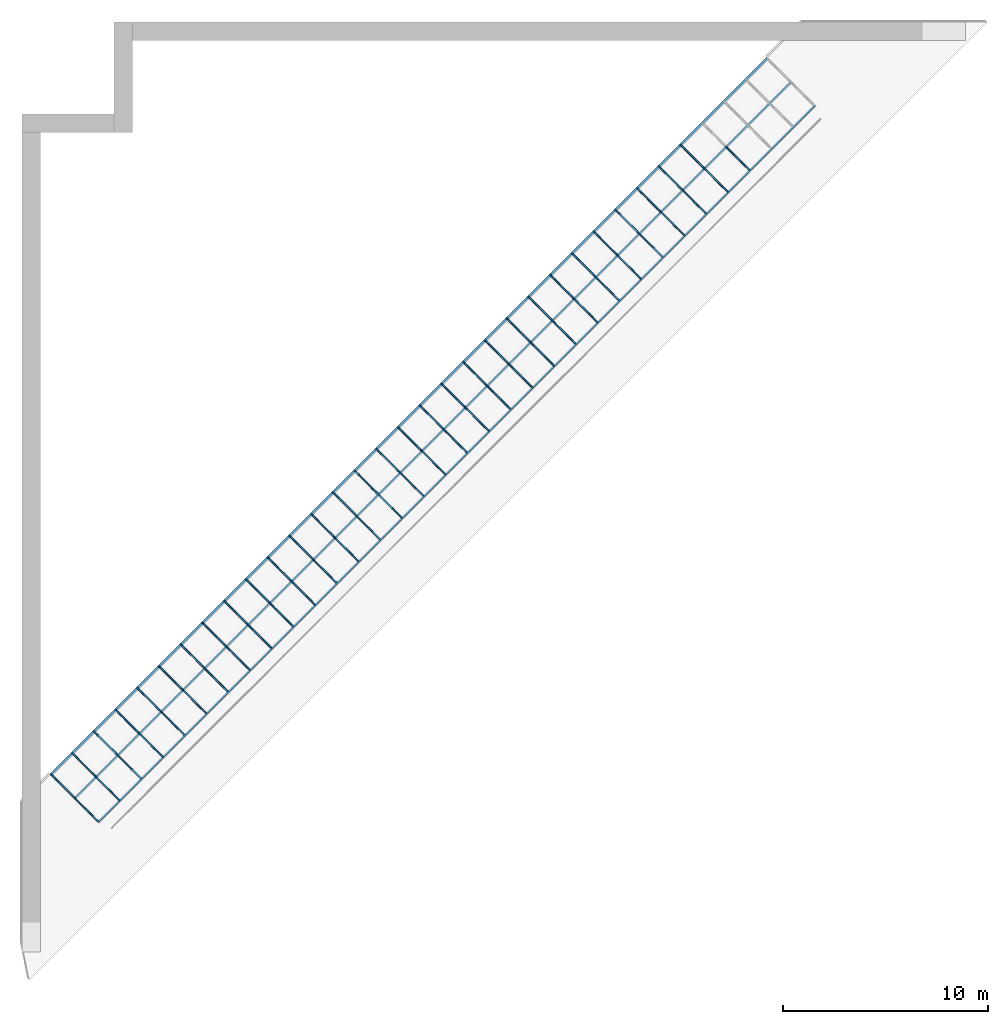
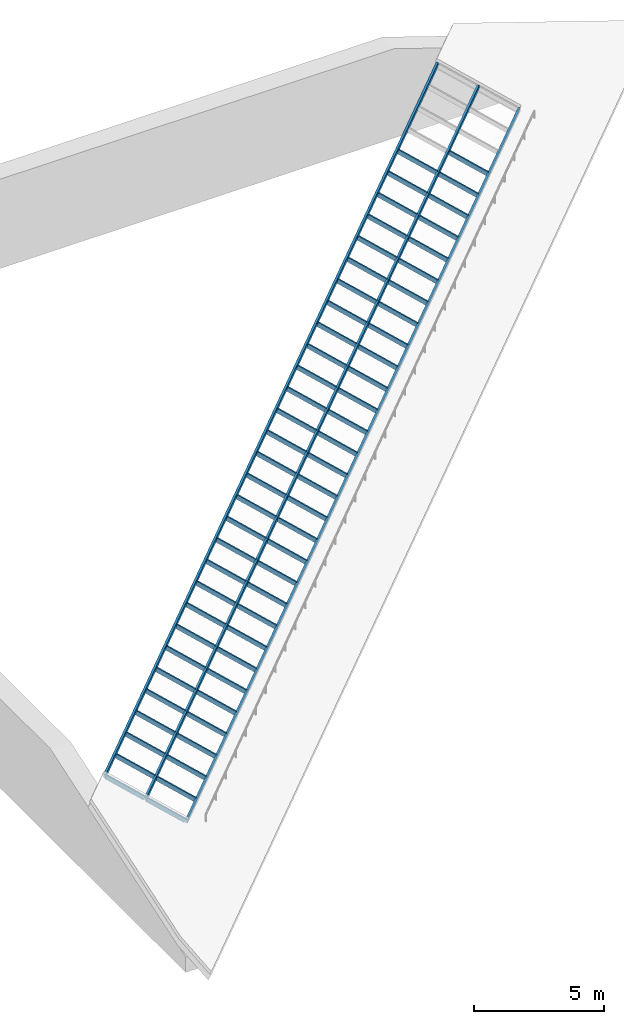
# One storey, part 1 of 4: 64 members, 1 element without a shape of its own.
"""IFC4 building model written with IfcOpenShell, lengths in metres."""

import ifcopenshell
import ifcopenshell.guid

model = None  # the IFC model being written
_history = None  # IfcOwnerHistory: only IFC2X3 demands one
_inside = {}  # id of a spatial element -> (the spatial element, [elements in it])
_under = {}  # id of a project, library or spatial element -> (it, [spatial elements below it])
_declared = {}  # id of a project -> (the project, [libraries it declares])
_typed = {}  # id of a type object -> (the type object, [elements of that type])
_made_of = {}  # id of a material, layer set ... -> (it, [elements and type objects made of it])


def new_model(schema):
    """Start an empty IFC model of exactly this schema.

    Asked for "IFC4X3", IfcOpenShell would pick the latest addendum, in which some entities
    have other attributes; the version numbers below select the first issue.
    IFC2X3 requires an IfcOwnerHistory on every rooted entity: one is made here for all.
    """
    global model, _history
    if schema == "IFC4X3":
        model = ifcopenshell.file(schema_version=(4, 3, 0, 0))
    else:
        model = ifcopenshell.file(schema=schema)
    _inside.clear()
    _under.clear()
    _declared.clear()
    _typed.clear()
    _made_of.clear()
    _history = None
    if model.schema == "IFC2X3":
        org = make("IfcOrganization", Name="unknown")
        user = make(
            "IfcPersonAndOrganization",
            ThePerson=make("IfcPerson", FamilyName="unknown"),
            TheOrganization=org,
        )
        app = make(
            "IfcApplication",
            ApplicationDeveloper=org,
            Version="unknown",
            ApplicationFullName="unknown",
            ApplicationIdentifier="unknown",
        )
        _history = make(
            "IfcOwnerHistory",
            OwningUser=user,
            OwningApplication=app,
            ChangeAction="ADDED",
            CreationDate=0,
        )
    return model


def make(cls, **values):
    """One entity of the class cls with the attributes given. An attribute that is None is left unset."""
    return model.create_entity(
        cls, **{name: value for name, value in values.items() if value is not None}
    )


def rooted(cls, **values):
    """An entity with a GlobalId (a new one), such as an element, a storey or a relation."""
    return make(cls, GlobalId=ifcopenshell.guid.new(), OwnerHistory=_history, **values)


def si_unit(unit_type, name, prefix=None):
    """IfcSIUnit, for example si_unit("LENGTHUNIT", "METRE", prefix="MILLI")."""
    return make("IfcSIUnit", UnitType=unit_type, Prefix=prefix, Name=name)


def assignment(units):
    """IfcUnitAssignment: the units of a project."""
    return None if units is None else make("IfcUnitAssignment", Units=units)


def point(xyz):
    """IfcCartesianPoint."""
    return None if xyz is None else make("IfcCartesianPoint", Coordinates=xyz)


def direction(xyz):
    """IfcDirection."""
    return None if xyz is None else make("IfcDirection", DirectionRatios=xyz)


def frame(location, z_axis=None, x_axis=None):
    """IfcAxis2Placement3D, a coordinate frame: its origin and axes. An axis left out is left unset."""
    return make(
        "IfcAxis2Placement3D",
        Location=point(location),
        Axis=direction(z_axis),
        RefDirection=direction(x_axis),
    )


def frame_2d(location, x_axis=None):
    """IfcAxis2Placement2D, a coordinate frame in the plane: its origin and x axis."""
    return make(
        "IfcAxis2Placement2D", Location=point(location), RefDirection=direction(x_axis)
    )


def origin():
    """The frame at (0, 0, 0) with its axes left unset."""
    return frame((0.0, 0.0, 0.0))


def origin_2d():
    """The frame at (0, 0) in the plane with its x axis left unset."""
    return frame_2d((0.0, 0.0))


def place(relative_to, where):
    """IfcLocalPlacement: puts the frame where relative to a parent placement (None: the world)."""
    return make(
        "IfcLocalPlacement", PlacementRelTo=relative_to, RelativePlacement=where
    )


def context(
    kind, dimensions, precision=None, world=None, true_north=None, identifier=None
):
    """IfcGeometricRepresentationContext, for example the 3D "Model" context."""
    return make(
        "IfcGeometricRepresentationContext",
        ContextIdentifier=identifier,
        ContextType=kind,
        CoordinateSpaceDimension=dimensions,
        Precision=precision,
        WorldCoordinateSystem=world,
        TrueNorth=true_north,
    )


def subcontext(parent, identifier, kind, view, scale=None):
    """IfcGeometricRepresentationSubContext, for example "Body" below "Model"."""
    return make(
        "IfcGeometricRepresentationSubContext",
        ContextIdentifier=identifier,
        ContextType=kind,
        ParentContext=parent,
        TargetScale=scale,
        TargetView=view,
    )


def project(units=None, contexts=None):
    """IfcProject with its units and contexts."""
    return rooted(
        "IfcProject",
        Name="project",
        RepresentationContexts=contexts,
        UnitsInContext=assignment(units),
    )


def spatial(cls, under=None, at=None, **own):
    """A site, building, storey or space (cls), placed at a placement, below another one or the project."""
    s = rooted(cls, ObjectPlacement=at, **own)
    if under is not None:
        _under.setdefault(under.id(), (under, []))[1].append(s)
    return s


def profile(cls, at=None, kind="AREA", **sizes):
    """A parametric profile (cls). Its sizes go by their IFC names, for example OverallWidth=200.0."""
    return make(cls, ProfileType=kind, Position=at, **sizes)


def rectangle(**sizes):
    """IfcRectangleProfileDef."""
    return profile("IfcRectangleProfileDef", **sizes)


def extrude(swept, where, along, depth):
    """IfcExtrudedAreaSolid: the profile swept, set in the frame where, extruded along a direction by depth."""
    return make(
        "IfcExtrudedAreaSolid",
        SweptArea=swept,
        Position=where,
        ExtrudedDirection=direction(along),
        Depth=depth,
    )


def shape(context_of_items, identifier, shape_type, items):
    """IfcShapeRepresentation: the items that make up one representation, for example the "Body"."""
    return make(
        "IfcShapeRepresentation",
        ContextOfItems=context_of_items,
        RepresentationIdentifier=identifier,
        RepresentationType=shape_type,
        Items=items,
    )


def material(Name=None, Category=None):
    """IfcMaterial."""
    return make("IfcMaterial", Name=Name, Category=Category)


def material_profile(
    of_material, cross_section, Name=None, Category=None, Priority=None
):
    """IfcMaterialProfile: a cross section and its material."""
    return make(
        "IfcMaterialProfile",
        Name=Name,
        Material=of_material,
        Profile=cross_section,
        Priority=Priority,
        Category=Category,
    )


def profile_set(profiles, Name=None, composite=None):
    """IfcMaterialProfileSet."""
    return make(
        "IfcMaterialProfileSet",
        Name=Name,
        MaterialProfiles=profiles,
        CompositeProfile=composite,
    )


def made_of(thing, what):
    """Note that an element or type object is made of a material, layer set ...; save() writes the relation."""
    if what is not None:
        _made_of.setdefault(what.id(), (what, []))[1].append(thing)
    return thing


def type_object(cls, material=None, **own):
    """A type object (cls), such as IfcWallType, which elements share."""
    return made_of(rooted(cls, **own), material)


def element(
    cls,
    number,
    at=None,
    inside=None,
    cuts=None,
    type_object=None,
    material=None,
    context=None,
    identifier="Body",
    shape_type=None,
    held_by="IfcProductDefinitionShape",
    body=None,
    shapes=None,
    **own,
):
    """One element of the class cls, such as IfcWall. Its Tag is "e" and its number.

    at: its placement. inside: the storey or other place that contains it. cuts: it is an
    opening in that element (IfcRelVoidsElement). A single representation is given by context,
    identifier, shape_type and body (its items); several are given by shapes. held_by: the class
    of the entity that holds the representations. save() writes the other relations.
    """
    e = rooted(cls, Tag="e%d" % number, ObjectPlacement=at, **own)
    if body is not None:
        shapes = [shape(context, identifier, shape_type, body)]
    if shapes is not None:
        e.Representation = make(held_by, Representations=shapes)
    if inside is not None:
        _inside.setdefault(inside.id(), (inside, []))[1].append(e)
    if cuts is not None:
        rooted(
            "IfcRelVoidsElement", RelatingBuildingElement=cuts, RelatedOpeningElement=e
        )
    if type_object is not None:
        _typed.setdefault(type_object.id(), (type_object, []))[1].append(e)
    return made_of(e, material)


def aggregate(whole, parts):
    """IfcRelAggregates: a whole, such as a stair, and the parts it consists of."""
    return rooted("IfcRelAggregates", RelatingObject=whole, RelatedObjects=parts)


def save(model, path):
    """Write the relations noted so far, then the file.

    IfcRelAggregates (storeys below a building ...), IfcRelContainedInSpatialStructure (elements
    in a storey), IfcRelDefinesByType, IfcRelAssociatesMaterial and IfcRelDeclares: one each for
    every whole, place, type object, material and project.
    """
    for whole, parts in _under.values():
        aggregate(whole, parts)
    for where, things in _inside.values():
        rooted(
            "IfcRelContainedInSpatialStructure",
            RelatedElements=things,
            RelatingStructure=where,
        )
    for kind, things in _typed.values():
        rooted("IfcRelDefinesByType", RelatedObjects=things, RelatingType=kind)
    for what, things in _made_of.values():
        rooted("IfcRelAssociatesMaterial", RelatedObjects=things, RelatingMaterial=what)
    for by, libraries in _declared.values():
        rooted("IfcRelDeclares", RelatingContext=by, RelatedDefinitions=libraries)
    model.write(path)


model = new_model("IFC4")

# Units and contexts
model_context = context("Model", 3, precision=1e-05, world=origin(), true_north=direction((0.0, 1.0)))
body_context = subcontext(model_context, "Body", "Model", "MODEL_VIEW")
ifc_project = project(units=[si_unit("LENGTHUNIT", "METRE"), si_unit("AREAUNIT", "SQUARE_METRE"), si_unit("VOLUMEUNIT", "CUBIC_METRE"), si_unit("PLANEANGLEUNIT", "RADIAN"), si_unit("MASSUNIT", "GRAM", prefix="KILO")], contexts=[model_context])

# Site, building, storey
site_placement = place(None, origin())
site = spatial("IfcSite", under=ifc_project, at=site_placement, CompositionType="ELEMENT")
building_placement = place(site_placement, origin())
building = spatial("IfcBuilding", under=site, at=building_placement, Name="Hunhe Ridgeline Campus", CompositionType="ELEMENT")
storey_placement = place(building_placement, frame((0.0, 0.0, 319.800048828125)))
storey = spatial("IfcBuildingStorey", under=building, at=storey_placement, Name="L82 Crown", CompositionType="ELEMENT", Elevation=319.800048828125)

# Curtain wall, members
ifc_material = material(Name="Aluminium 6063", Category="aluminium")
curtain_wall_type = type_object("IfcCurtainWallType", Name="Curtain wall CW-6", PredefinedType="NOTDEFINED", material=ifc_material)
curtain_wall_placement = place(storey_placement, origin())
curtain_wall = element("IfcCurtainWall", 1, at=curtain_wall_placement, inside=storey, type_object=curtain_wall_type, Name="Rooflight 5", PredefinedType="NOTDEFINED")
ifc_material_profile_1 = material_profile(ifc_material, rectangle(XDim=0.070068359375, YDim=0.199951171875, at=origin_2d()))
ifc_profile_set_1 = profile_set([ifc_material_profile_1], Name="Aluminium 6063")
member_type_1 = type_object("IfcMemberType", Name="CW-6 aluminium mullion", PredefinedType="MULLION", material=ifc_profile_set_1)
member_1_placement = place(storey_placement, frame((35.47802734375, 91.801025390625, 1.97119140625), z_axis=(-0.639503873019, 0.639648002808, 0.426480045135), x_axis=(-0.707186450701, -0.707027102695, 0.0)))
member_1 = element("IfcMember", 2, at=member_1_placement, type_object=member_type_1, Name="E-L82 Crown-RL-05/M0-03", PredefinedType="MULLION", context=body_context, shape_type="SweptSolid", body=[
    extrude(rectangle(XDim=0.070068359375, YDim=0.199951171875, at=origin_2d()), origin(), (0.0, 0.0, 1.0), 1.69384765625),
])
member_2_placement = place(storey_placement, frame((34.41748046875, 90.740478515625, 1.97119140625), z_axis=(-0.639562831882, 0.639562831882, 0.426519364332), x_axis=(-0.707106781187, -0.707106781187, 0.0)))
member_2 = element("IfcMember", 3, at=member_2_placement, type_object=member_type_1, Name="E-L82 Crown-RL-05/M0-04", PredefinedType="MULLION", context=body_context, shape_type="SweptSolid", body=[
    extrude(rectangle(XDim=0.070068359375, YDim=0.199951171875, at=origin_2d()), origin(), (0.0, 0.0, 1.0), 1.69384765625),
])
member_3_placement = place(storey_placement, frame((33.356689453125, 89.679931640625, 1.97119140625), z_axis=(-0.639562831882, 0.639562831882, 0.426519364332), x_axis=(-0.707106781187, -0.707106781187, 0.0)))
member_3 = element("IfcMember", 4, at=member_3_placement, type_object=member_type_1, Name="E-L82 Crown-RL-05/M0-05", PredefinedType="MULLION", context=body_context, shape_type="SweptSolid", body=[
    extrude(rectangle(XDim=0.070068359375, YDim=0.199951171875, at=origin_2d()), origin(), (0.0, 0.0, 1.0), 1.69384765625),
])
member_4_placement = place(storey_placement, frame((32.296142578125, 88.619140625, 1.97119140625), z_axis=(-0.639562831882, 0.639562831882, 0.426519364332), x_axis=(-0.707106781187, -0.707106781187, 0.0)))
member_4 = element("IfcMember", 5, at=member_4_placement, type_object=member_type_1, Name="E-L82 Crown-RL-05/M0-06", PredefinedType="MULLION", context=body_context, shape_type="SweptSolid", body=[
    extrude(rectangle(XDim=0.070068359375, YDim=0.199951171875, at=origin_2d()), origin(), (0.0, 0.0, 1.0), 1.69384765625),
])
member_5_placement = place(storey_placement, frame((31.2353515625, 87.55859375, 1.97119140625), z_axis=(-0.639562831882, 0.639562831882, 0.426519364332), x_axis=(-0.707106781187, -0.707106781187, 0.0)))
member_5 = element("IfcMember", 6, at=member_5_placement, type_object=member_type_1, Name="E-L82 Crown-RL-05/M0-07", PredefinedType="MULLION", context=body_context, shape_type="SweptSolid", body=[
    extrude(rectangle(XDim=0.070068359375, YDim=0.199951171875, at=origin_2d()), origin(), (0.0, 0.0, 1.0), 1.69384765625),
])
member_6_placement = place(storey_placement, frame((30.1748046875, 86.497802734375, 1.97119140625), z_axis=(-0.639562831882, 0.639562831882, 0.426519364332), x_axis=(-0.707106781187, -0.707106781187, 0.0)))
member_6 = element("IfcMember", 7, at=member_6_placement, type_object=member_type_1, Name="E-L82 Crown-RL-05/M0-08", PredefinedType="MULLION", context=body_context, shape_type="SweptSolid", body=[
    extrude(rectangle(XDim=0.070068359375, YDim=0.199951171875, at=origin_2d()), origin(), (0.0, 0.0, 1.0), 1.69384765625),
])
member_7_placement = place(storey_placement, frame((29.114013671875, 85.437255859375, 1.97119140625), z_axis=(-0.639562831882, 0.639562831882, 0.426519364332), x_axis=(-0.707106781187, -0.707106781187, 0.0)))
member_7 = element("IfcMember", 8, at=member_7_placement, type_object=member_type_1, Name="E-L82 Crown-RL-05/M0-09", PredefinedType="MULLION", context=body_context, shape_type="SweptSolid", body=[
    extrude(rectangle(XDim=0.070068359375, YDim=0.199951171875, at=origin_2d()), origin(), (0.0, 0.0, 1.0), 1.69384765625),
])
member_8_placement = place(storey_placement, frame((28.053466796875, 84.37646484375, 1.97119140625), z_axis=(-0.639562831882, 0.639562831882, 0.426519364332), x_axis=(-0.707106781187, -0.707106781187, 0.0)))
member_8 = element("IfcMember", 9, at=member_8_placement, type_object=member_type_1, Name="E-L82 Crown-RL-05/M0-10", PredefinedType="MULLION", context=body_context, shape_type="SweptSolid", body=[
    extrude(rectangle(XDim=0.070068359375, YDim=0.199951171875, at=origin_2d()), origin(), (0.0, 0.0, 1.0), 1.69384765625),
])
member_9_placement = place(storey_placement, frame((26.992919921875, 83.31591796875, 1.97119140625), z_axis=(-0.639648002808, 0.639503873019, 0.426480045135), x_axis=(-0.707027102695, -0.707186450701, 0.0)))
member_9 = element("IfcMember", 10, at=member_9_placement, type_object=member_type_1, Name="E-L82 Crown-RL-05/M0-11", PredefinedType="MULLION", context=body_context, shape_type="SweptSolid", body=[
    extrude(rectangle(XDim=0.070068359375, YDim=0.199951171875, at=origin_2d()), origin(), (0.0, 0.0, 1.0), 1.69384765625),
])
member_10_placement = place(storey_placement, frame((25.93212890625, 82.255126953125, 1.97119140625), z_axis=(-0.639562831882, 0.639562831882, 0.426519364332), x_axis=(-0.707106781187, -0.707106781187, 0.0)))
member_10 = element("IfcMember", 11, at=member_10_placement, type_object=member_type_1, Name="E-L82 Crown-RL-05/M0-12", PredefinedType="MULLION", context=body_context, shape_type="SweptSolid", body=[
    extrude(rectangle(XDim=0.070068359375, YDim=0.199951171875, at=origin_2d()), origin(), (0.0, 0.0, 1.0), 1.69384765625),
])
member_11_placement = place(storey_placement, frame((24.87158203125, 81.194580078125, 1.97119140625), z_axis=(-0.639562831882, 0.639562831882, 0.426519364332), x_axis=(-0.707106781187, -0.707106781187, 0.0)))
member_11 = element("IfcMember", 12, at=member_11_placement, type_object=member_type_1, Name="E-L82 Crown-RL-05/M0-13", PredefinedType="MULLION", context=body_context, shape_type="SweptSolid", body=[
    extrude(rectangle(XDim=0.070068359375, YDim=0.199951171875, at=origin_2d()), origin(), (0.0, 0.0, 1.0), 1.69384765625),
])
member_12_placement = place(storey_placement, frame((23.810791015625, 80.1337890625, 1.97119140625), z_axis=(-0.639562831882, 0.639562831882, 0.426519364332), x_axis=(-0.707106781187, -0.707106781187, 0.0)))
member_12 = element("IfcMember", 13, at=member_12_placement, type_object=member_type_1, Name="E-L82 Crown-RL-05/M0-14", PredefinedType="MULLION", context=body_context, shape_type="SweptSolid", body=[
    extrude(rectangle(XDim=0.070068359375, YDim=0.199951171875, at=origin_2d()), origin(), (0.0, 0.0, 1.0), 1.69384765625),
])
member_13_placement = place(storey_placement, frame((22.750244140625, 79.0732421875, 1.97119140625), z_axis=(-0.639562831882, 0.639562831882, 0.426519364332), x_axis=(-0.707106781187, -0.707106781187, 0.0)))
member_13 = element("IfcMember", 14, at=member_13_placement, type_object=member_type_1, Name="E-L82 Crown-RL-05/M0-15", PredefinedType="MULLION", context=body_context, shape_type="SweptSolid", body=[
    extrude(rectangle(XDim=0.070068359375, YDim=0.199951171875, at=origin_2d()), origin(), (0.0, 0.0, 1.0), 1.69384765625),
])
member_14_placement = place(storey_placement, frame((21.689453125, 78.012451171875, 1.97119140625), z_axis=(-0.639503873019, 0.639648002808, 0.426480045135), x_axis=(-0.707186450701, -0.707027102695, 0.0)))
member_14 = element("IfcMember", 15, at=member_14_placement, type_object=member_type_1, Name="E-L82 Crown-RL-05/M0-16", PredefinedType="MULLION", context=body_context, shape_type="SweptSolid", body=[
    extrude(rectangle(XDim=0.070068359375, YDim=0.199951171875, at=origin_2d()), origin(), (0.0, 0.0, 1.0), 1.69384765625),
])
member_15_placement = place(storey_placement, frame((20.62890625, 76.951904296875, 1.97119140625), z_axis=(-0.639562831882, 0.639562831882, 0.426519364332), x_axis=(-0.707106781187, -0.707106781187, 0.0)))
member_15 = element("IfcMember", 16, at=member_15_placement, type_object=member_type_1, Name="E-L82 Crown-RL-05/M0-17", PredefinedType="MULLION", context=body_context, shape_type="SweptSolid", body=[
    extrude(rectangle(XDim=0.070068359375, YDim=0.199951171875, at=origin_2d()), origin(), (0.0, 0.0, 1.0), 1.69384765625),
])
member_16_placement = place(storey_placement, frame((19.568115234375, 75.89111328125, 1.97119140625), z_axis=(-0.639503873019, 0.639648002808, 0.426480045135), x_axis=(-0.707186450701, -0.707027102695, 0.0)))
member_16 = element("IfcMember", 17, at=member_16_placement, type_object=member_type_1, Name="E-L82 Crown-RL-05/M0-18", PredefinedType="MULLION", context=body_context, shape_type="SweptSolid", body=[
    extrude(rectangle(XDim=0.070068359375, YDim=0.199951171875, at=origin_2d()), origin(), (0.0, 0.0, 1.0), 1.69384765625),
])
member_17_placement = place(storey_placement, frame((18.507568359375, 74.83056640625, 1.97119140625), z_axis=(-0.639562831882, 0.639562831882, 0.426519364332), x_axis=(-0.707106781187, -0.707106781187, 0.0)))
member_17 = element("IfcMember", 18, at=member_17_placement, type_object=member_type_1, Name="E-L82 Crown-RL-05/M0-19", PredefinedType="MULLION", context=body_context, shape_type="SweptSolid", body=[
    extrude(rectangle(XDim=0.070068359375, YDim=0.199951171875, at=origin_2d()), origin(), (0.0, 0.0, 1.0), 1.69384765625),
])
member_18_placement = place(storey_placement, frame((17.44677734375, 73.77001953125, 1.97119140625), z_axis=(-0.639562831882, 0.639562831882, 0.426519364332), x_axis=(-0.707106781187, -0.707106781187, 0.0)))
member_18 = element("IfcMember", 19, at=member_18_placement, type_object=member_type_1, Name="E-L82 Crown-RL-05/M0-20", PredefinedType="MULLION", context=body_context, shape_type="SweptSolid", body=[
    extrude(rectangle(XDim=0.070068359375, YDim=0.199951171875, at=origin_2d()), origin(), (0.0, 0.0, 1.0), 1.69384765625),
])
member_19_placement = place(storey_placement, frame((16.38623046875, 72.709228515625, 1.97119140625), z_axis=(-0.639562831882, 0.639562831882, 0.426519364332), x_axis=(-0.707106781187, -0.707106781187, 0.0)))
member_19 = element("IfcMember", 20, at=member_19_placement, type_object=member_type_1, Name="E-L82 Crown-RL-05/M0-21", PredefinedType="MULLION", context=body_context, shape_type="SweptSolid", body=[
    extrude(rectangle(XDim=0.070068359375, YDim=0.199951171875, at=origin_2d()), origin(), (0.0, 0.0, 1.0), 1.69384765625),
])
member_20_placement = place(storey_placement, frame((15.325439453125, 71.648681640625, 1.97119140625), z_axis=(-0.639562831882, 0.639562831882, 0.426519364332), x_axis=(-0.707106781187, -0.707106781187, 0.0)))
member_20 = element("IfcMember", 21, at=member_20_placement, type_object=member_type_1, Name="E-L82 Crown-RL-05/M0-22", PredefinedType="MULLION", context=body_context, shape_type="SweptSolid", body=[
    extrude(rectangle(XDim=0.070068359375, YDim=0.199951171875, at=origin_2d()), origin(), (0.0, 0.0, 1.0), 1.69384765625),
])
member_21_placement = place(storey_placement, frame((14.264892578125, 70.587890625, 1.97119140625), z_axis=(-0.639562831882, 0.639562831882, 0.426519364332), x_axis=(-0.707106781187, -0.707106781187, 0.0)))
member_21 = element("IfcMember", 22, at=member_21_placement, type_object=member_type_1, Name="E-L82 Crown-RL-05/M0-23", PredefinedType="MULLION", context=body_context, shape_type="SweptSolid", body=[
    extrude(rectangle(XDim=0.070068359375, YDim=0.199951171875, at=origin_2d()), origin(), (0.0, 0.0, 1.0), 1.69384765625),
])
member_22_placement = place(storey_placement, frame((13.2041015625, 69.52734375, 1.97119140625), z_axis=(-0.639562831882, 0.639562831882, 0.426519364332), x_axis=(-0.707106781187, -0.707106781187, 0.0)))
member_22 = element("IfcMember", 23, at=member_22_placement, type_object=member_type_1, Name="E-L82 Crown-RL-05/M0-24", PredefinedType="MULLION", context=body_context, shape_type="SweptSolid", body=[
    extrude(rectangle(XDim=0.070068359375, YDim=0.199951171875, at=origin_2d()), origin(), (0.0, 0.0, 1.0), 1.69384765625),
])
member_23_placement = place(storey_placement, frame((12.1435546875, 68.466552734375, 1.97119140625), z_axis=(-0.639562831882, 0.639562831882, 0.426519364332), x_axis=(-0.707106781187, -0.707106781187, 0.0)))
member_23 = element("IfcMember", 24, at=member_23_placement, type_object=member_type_1, Name="E-L82 Crown-RL-05/M0-25", PredefinedType="MULLION", context=body_context, shape_type="SweptSolid", body=[
    extrude(rectangle(XDim=0.070068359375, YDim=0.199951171875, at=origin_2d()), origin(), (0.0, 0.0, 1.0), 1.69384765625),
])
member_24_placement = place(storey_placement, frame((11.0830078125, 67.406005859375, 1.97119140625), z_axis=(-0.639648002808, 0.639503873019, 0.426480045135), x_axis=(-0.707027102695, -0.707186450701, 0.0)))
member_24 = element("IfcMember", 25, at=member_24_placement, type_object=member_type_1, Name="E-L82 Crown-RL-05/M0-26", PredefinedType="MULLION", context=body_context, shape_type="SweptSolid", body=[
    extrude(rectangle(XDim=0.070068359375, YDim=0.199951171875, at=origin_2d()), origin(), (0.0, 0.0, 1.0), 1.69384765625),
])
member_25_placement = place(storey_placement, frame((10.022216796875, 66.34521484375, 1.97119140625), z_axis=(-0.639562831882, 0.639562831882, 0.426519364332), x_axis=(-0.707106781187, -0.707106781187, 0.0)))
member_25 = element("IfcMember", 26, at=member_25_placement, type_object=member_type_1, Name="E-L82 Crown-RL-05/M0-27", PredefinedType="MULLION", context=body_context, shape_type="SweptSolid", body=[
    extrude(rectangle(XDim=0.070068359375, YDim=0.199951171875, at=origin_2d()), origin(), (0.0, 0.0, 1.0), 1.69384765625),
])
member_26_placement = place(storey_placement, frame((8.961669921875, 65.28466796875, 1.97119140625), z_axis=(-0.639562831882, 0.639562831882, 0.426519364332), x_axis=(-0.707106781187, -0.707106781187, 0.0)))
member_26 = element("IfcMember", 27, at=member_26_placement, type_object=member_type_1, Name="E-L82 Crown-RL-05/M0-28", PredefinedType="MULLION", context=body_context, shape_type="SweptSolid", body=[
    extrude(rectangle(XDim=0.070068359375, YDim=0.199951171875, at=origin_2d()), origin(), (0.0, 0.0, 1.0), 1.69384765625),
])
member_27_placement = place(storey_placement, frame((7.90087890625, 64.223876953125, 1.97119140625), z_axis=(-0.639562831882, 0.639562831882, 0.426519364332), x_axis=(-0.707106781187, -0.707106781187, 0.0)))
member_27 = element("IfcMember", 28, at=member_27_placement, type_object=member_type_1, Name="E-L82 Crown-RL-05/M0-29", PredefinedType="MULLION", context=body_context, shape_type="SweptSolid", body=[
    extrude(rectangle(XDim=0.070068359375, YDim=0.199951171875, at=origin_2d()), origin(), (0.0, 0.0, 1.0), 1.69384765625),
])
member_28_placement = place(storey_placement, frame((6.84033203125, 63.163330078125, 1.97119140625), z_axis=(-0.639562831882, 0.639562831882, 0.426519364332), x_axis=(-0.707106781187, -0.707106781187, 0.0)))
member_28 = element("IfcMember", 29, at=member_28_placement, type_object=member_type_1, Name="E-L82 Crown-RL-05/M0-30", PredefinedType="MULLION", context=body_context, shape_type="SweptSolid", body=[
    extrude(rectangle(XDim=0.070068359375, YDim=0.199951171875, at=origin_2d()), origin(), (0.0, 0.0, 1.0), 1.69384765625),
])
member_29_placement = place(storey_placement, frame((5.779541015625, 62.1025390625, 1.97119140625), z_axis=(-0.639503873019, 0.639648002808, 0.426480045135), x_axis=(-0.707186450701, -0.707027102695, 0.0)))
member_29 = element("IfcMember", 30, at=member_29_placement, type_object=member_type_1, Name="E-L82 Crown-RL-05/M0-31", PredefinedType="MULLION", context=body_context, shape_type="SweptSolid", body=[
    extrude(rectangle(XDim=0.070068359375, YDim=0.199951171875, at=origin_2d()), origin(), (0.0, 0.0, 1.0), 1.69384765625),
])
member_30_placement = place(storey_placement, frame((4.718994140625, 61.0419921875, 1.97119140625), z_axis=(-0.639562831882, 0.639562831882, 0.426519364332), x_axis=(-0.707106781187, -0.707106781187, 0.0)))
member_30 = element("IfcMember", 31, at=member_30_placement, type_object=member_type_1, Name="E-L82 Crown-RL-05/M0-32", PredefinedType="MULLION", context=body_context, shape_type="SweptSolid", body=[
    extrude(rectangle(XDim=0.070068359375, YDim=0.199951171875, at=origin_2d()), origin(), (0.0, 0.0, 1.0), 1.69384765625),
])
member_31_placement = place(storey_placement, frame((3.68310546875, 60.006103515625, 1.97119140625), z_axis=(-0.639562831882, 0.639562831882, 0.426519364332), x_axis=(-0.707106781187, -0.707106781187, 0.0)))
member_31 = element("IfcMember", 32, at=member_31_placement, type_object=member_type_1, Name="E-L82 Crown-RL-05/M0-33", PredefinedType="MULLION", context=body_context, shape_type="SweptSolid", body=[
    extrude(rectangle(XDim=0.070068359375, YDim=0.199951171875, at=origin_2d()), origin(), (0.0, 0.0, 1.0), 1.69384765625),
])
member_32_placement = place(storey_placement, frame((33.263427734375, 91.89453125, 2.74072265625), z_axis=(-0.639602149067, 0.639602149067, 0.426401432711), x_axis=(-0.707106781187, -0.707106781187, 0.0)))
member_32 = element("IfcMember", 33, at=member_32_placement, type_object=member_type_1, Name="E-L82 Crown-RL-05/M1-04", PredefinedType="MULLION", context=body_context, shape_type="SweptSolid", body=[
    extrude(rectangle(XDim=0.070068359375, YDim=0.199951171875, at=origin_2d()), origin(), (0.0, 0.0, 1.0), 1.693603515625),
])
member_33_placement = place(storey_placement, frame((32.202880859375, 90.833740234375, 2.74072265625), z_axis=(-0.639602149067, 0.639602149067, 0.426401432711), x_axis=(-0.707106781187, -0.707106781187, 0.0)))
member_33 = element("IfcMember", 34, at=member_33_placement, type_object=member_type_1, Name="E-L82 Crown-RL-05/M1-05", PredefinedType="MULLION", context=body_context, shape_type="SweptSolid", body=[
    extrude(rectangle(XDim=0.070068359375, YDim=0.199951171875, at=origin_2d()), origin(), (0.0, 0.0, 1.0), 1.693603515625),
])
member_34_placement = place(storey_placement, frame((31.14208984375, 89.773193359375, 2.74072265625), z_axis=(-0.639602149067, 0.639602149067, 0.426401432711), x_axis=(-0.707106781187, -0.707106781187, 0.0)))
member_34 = element("IfcMember", 35, at=member_34_placement, type_object=member_type_1, Name="E-L82 Crown-RL-05/M1-06", PredefinedType="MULLION", context=body_context, shape_type="SweptSolid", body=[
    extrude(rectangle(XDim=0.070068359375, YDim=0.199951171875, at=origin_2d()), origin(), (0.0, 0.0, 1.0), 1.693603515625),
])
member_35_placement = place(storey_placement, frame((30.08154296875, 88.71240234375, 2.74072265625), z_axis=(-0.639602149067, 0.639602149067, 0.426401432711), x_axis=(-0.707106781187, -0.707106781187, 0.0)))
member_35 = element("IfcMember", 36, at=member_35_placement, type_object=member_type_1, Name="E-L82 Crown-RL-05/M1-07", PredefinedType="MULLION", context=body_context, shape_type="SweptSolid", body=[
    extrude(rectangle(XDim=0.070068359375, YDim=0.199951171875, at=origin_2d()), origin(), (0.0, 0.0, 1.0), 1.693603515625),
])
member_36_placement = place(storey_placement, frame((29.020751953125, 87.65185546875, 2.74072265625), z_axis=(-0.639602149067, 0.639602149067, 0.426401432711), x_axis=(-0.707106781187, -0.707106781187, 0.0)))
member_36 = element("IfcMember", 37, at=member_36_placement, type_object=member_type_1, Name="E-L82 Crown-RL-05/M1-08", PredefinedType="MULLION", context=body_context, shape_type="SweptSolid", body=[
    extrude(rectangle(XDim=0.070068359375, YDim=0.199951171875, at=origin_2d()), origin(), (0.0, 0.0, 1.0), 1.693603515625),
])
member_37_placement = place(storey_placement, frame((27.960205078125, 86.591064453125, 2.74072265625), z_axis=(-0.639602149067, 0.639602149067, 0.426401432711), x_axis=(-0.707106781187, -0.707106781187, 0.0)))
member_37 = element("IfcMember", 38, at=member_37_placement, type_object=member_type_1, Name="E-L82 Crown-RL-05/M1-09", PredefinedType="MULLION", context=body_context, shape_type="SweptSolid", body=[
    extrude(rectangle(XDim=0.070068359375, YDim=0.199951171875, at=origin_2d()), origin(), (0.0, 0.0, 1.0), 1.693603515625),
])
member_38_placement = place(storey_placement, frame((26.8994140625, 85.530517578125, 2.74072265625), z_axis=(-0.639602149067, 0.639602149067, 0.426401432711), x_axis=(-0.707106781187, -0.707106781187, 0.0)))
member_38 = element("IfcMember", 39, at=member_38_placement, type_object=member_type_1, Name="E-L82 Crown-RL-05/M1-10", PredefinedType="MULLION", context=body_context, shape_type="SweptSolid", body=[
    extrude(rectangle(XDim=0.070068359375, YDim=0.199951171875, at=origin_2d()), origin(), (0.0, 0.0, 1.0), 1.693603515625),
])
member_39_placement = place(storey_placement, frame((25.8388671875, 84.4697265625, 2.74072265625), z_axis=(-0.63954317933, 0.639687317978, 0.426362119554), x_axis=(-0.707186450701, -0.707027102695, 0.0)))
member_39 = element("IfcMember", 40, at=member_39_placement, type_object=member_type_1, Name="E-L82 Crown-RL-05/M1-11", PredefinedType="MULLION", context=body_context, shape_type="SweptSolid", body=[
    extrude(rectangle(XDim=0.070068359375, YDim=0.199951171875, at=origin_2d()), origin(), (0.0, 0.0, 1.0), 1.69384765625),
])
member_40_placement = place(storey_placement, frame((24.778076171875, 83.4091796875, 2.74072265625), z_axis=(-0.639602149067, 0.639602149067, 0.426401432711), x_axis=(-0.707106781187, -0.707106781187, 0.0)))
member_40 = element("IfcMember", 41, at=member_40_placement, type_object=member_type_1, Name="E-L82 Crown-RL-05/M1-12", PredefinedType="MULLION", context=body_context, shape_type="SweptSolid", body=[
    extrude(rectangle(XDim=0.070068359375, YDim=0.199951171875, at=origin_2d()), origin(), (0.0, 0.0, 1.0), 1.693603515625),
])
member_41_placement = place(storey_placement, frame((23.717529296875, 82.3486328125, 2.74072265625), z_axis=(-0.639602149067, 0.639602149067, 0.426401432711), x_axis=(-0.707106781187, -0.707106781187, 0.0)))
member_41 = element("IfcMember", 42, at=member_41_placement, type_object=member_type_1, Name="E-L82 Crown-RL-05/M1-13", PredefinedType="MULLION", context=body_context, shape_type="SweptSolid", body=[
    extrude(rectangle(XDim=0.070068359375, YDim=0.199951171875, at=origin_2d()), origin(), (0.0, 0.0, 1.0), 1.693603515625),
])
member_42_placement = place(storey_placement, frame((22.65673828125, 81.287841796875, 2.74072265625), z_axis=(-0.639602149067, 0.639602149067, 0.426401432711), x_axis=(-0.707106781187, -0.707106781187, 0.0)))
member_42 = element("IfcMember", 43, at=member_42_placement, type_object=member_type_1, Name="E-L82 Crown-RL-05/M1-14", PredefinedType="MULLION", context=body_context, shape_type="SweptSolid", body=[
    extrude(rectangle(XDim=0.070068359375, YDim=0.199951171875, at=origin_2d()), origin(), (0.0, 0.0, 1.0), 1.693603515625),
])
member_43_placement = place(storey_placement, frame((21.59619140625, 80.227294921875, 2.74072265625), z_axis=(-0.639602149067, 0.639602149067, 0.426401432711), x_axis=(-0.707106781187, -0.707106781187, 0.0)))
member_43 = element("IfcMember", 44, at=member_43_placement, type_object=member_type_1, Name="E-L82 Crown-RL-05/M1-15", PredefinedType="MULLION", context=body_context, shape_type="SweptSolid", body=[
    extrude(rectangle(XDim=0.070068359375, YDim=0.199951171875, at=origin_2d()), origin(), (0.0, 0.0, 1.0), 1.693603515625),
])
member_44_placement = place(storey_placement, frame((20.535400390625, 79.16650390625, 2.74072265625), z_axis=(-0.639602149067, 0.639602149067, 0.426401432711), x_axis=(-0.707106781187, -0.707106781187, 0.0)))
member_44 = element("IfcMember", 45, at=member_44_placement, type_object=member_type_1, Name="E-L82 Crown-RL-05/M1-16", PredefinedType="MULLION", context=body_context, shape_type="SweptSolid", body=[
    extrude(rectangle(XDim=0.070068359375, YDim=0.199951171875, at=origin_2d()), origin(), (0.0, 0.0, 1.0), 1.693603515625),
])
member_45_placement = place(storey_placement, frame((19.474853515625, 78.10595703125, 2.74072265625), z_axis=(-0.639602149067, 0.639602149067, 0.426401432711), x_axis=(-0.707106781187, -0.707106781187, 0.0)))
member_45 = element("IfcMember", 46, at=member_45_placement, type_object=member_type_1, Name="E-L82 Crown-RL-05/M1-17", PredefinedType="MULLION", context=body_context, shape_type="SweptSolid", body=[
    extrude(rectangle(XDim=0.070068359375, YDim=0.199951171875, at=origin_2d()), origin(), (0.0, 0.0, 1.0), 1.693603515625),
])
member_46_placement = place(storey_placement, frame((18.414306640625, 77.045166015625, 2.74072265625), z_axis=(-0.639687317978, 0.63954317933, 0.426362119554), x_axis=(-0.707027102695, -0.707186450701, 0.0)))
member_46 = element("IfcMember", 47, at=member_46_placement, type_object=member_type_1, Name="E-L82 Crown-RL-05/M1-18", PredefinedType="MULLION", context=body_context, shape_type="SweptSolid", body=[
    extrude(rectangle(XDim=0.070068359375, YDim=0.199951171875, at=origin_2d()), origin(), (0.0, 0.0, 1.0), 1.69384765625),
])
member_47_placement = place(storey_placement, frame((17.353515625, 75.984619140625, 2.74072265625), z_axis=(-0.639602149067, 0.639602149067, 0.426401432711), x_axis=(-0.707106781187, -0.707106781187, 0.0)))
member_47 = element("IfcMember", 48, at=member_47_placement, type_object=member_type_1, Name="E-L82 Crown-RL-05/M1-19", PredefinedType="MULLION", context=body_context, shape_type="SweptSolid", body=[
    extrude(rectangle(XDim=0.070068359375, YDim=0.199951171875, at=origin_2d()), origin(), (0.0, 0.0, 1.0), 1.693603515625),
])
member_48_placement = place(storey_placement, frame((16.29296875, 74.923828125, 2.74072265625), z_axis=(-0.639602149067, 0.639602149067, 0.426401432711), x_axis=(-0.707106781187, -0.707106781187, 0.0)))
member_48 = element("IfcMember", 49, at=member_48_placement, type_object=member_type_1, Name="E-L82 Crown-RL-05/M1-20", PredefinedType="MULLION", context=body_context, shape_type="SweptSolid", body=[
    extrude(rectangle(XDim=0.070068359375, YDim=0.199951171875, at=origin_2d()), origin(), (0.0, 0.0, 1.0), 1.693603515625),
])
member_49_placement = place(storey_placement, frame((15.232177734375, 73.86328125, 2.74072265625), z_axis=(-0.639602149067, 0.639602149067, 0.426401432711), x_axis=(-0.707106781187, -0.707106781187, 0.0)))
member_49 = element("IfcMember", 50, at=member_49_placement, type_object=member_type_1, Name="E-L82 Crown-RL-05/M1-21", PredefinedType="MULLION", context=body_context, shape_type="SweptSolid", body=[
    extrude(rectangle(XDim=0.070068359375, YDim=0.199951171875, at=origin_2d()), origin(), (0.0, 0.0, 1.0), 1.693603515625),
])
member_50_placement = place(storey_placement, frame((14.171630859375, 72.802490234375, 2.74072265625), z_axis=(-0.639602149067, 0.639602149067, 0.426401432711), x_axis=(-0.707106781187, -0.707106781187, 0.0)))
member_50 = element("IfcMember", 51, at=member_50_placement, type_object=member_type_1, Name="E-L82 Crown-RL-05/M1-22", PredefinedType="MULLION", context=body_context, shape_type="SweptSolid", body=[
    extrude(rectangle(XDim=0.070068359375, YDim=0.199951171875, at=origin_2d()), origin(), (0.0, 0.0, 1.0), 1.693603515625),
])
member_51_placement = place(storey_placement, frame((13.11083984375, 71.741943359375, 2.74072265625), z_axis=(-0.639602149067, 0.639602149067, 0.426401432711), x_axis=(-0.707106781187, -0.707106781187, 0.0)))
member_51 = element("IfcMember", 52, at=member_51_placement, type_object=member_type_1, Name="E-L82 Crown-RL-05/M1-23", PredefinedType="MULLION", context=body_context, shape_type="SweptSolid", body=[
    extrude(rectangle(XDim=0.070068359375, YDim=0.199951171875, at=origin_2d()), origin(), (0.0, 0.0, 1.0), 1.693603515625),
])
member_52_placement = place(storey_placement, frame((12.05029296875, 70.68115234375, 2.74072265625), z_axis=(-0.63954317933, 0.639687317978, 0.426362119554), x_axis=(-0.707186450701, -0.707027102695, 0.0)))
member_52 = element("IfcMember", 53, at=member_52_placement, type_object=member_type_1, Name="E-L82 Crown-RL-05/M1-24", PredefinedType="MULLION", context=body_context, shape_type="SweptSolid", body=[
    extrude(rectangle(XDim=0.070068359375, YDim=0.199951171875, at=origin_2d()), origin(), (0.0, 0.0, 1.0), 1.69384765625),
])
member_53_placement = place(storey_placement, frame((10.989501953125, 69.62060546875, 2.74072265625), z_axis=(-0.639602149067, 0.639602149067, 0.426401432711), x_axis=(-0.707106781187, -0.707106781187, 0.0)))
member_53 = element("IfcMember", 54, at=member_53_placement, type_object=member_type_1, Name="E-L82 Crown-RL-05/M1-25", PredefinedType="MULLION", context=body_context, shape_type="SweptSolid", body=[
    extrude(rectangle(XDim=0.070068359375, YDim=0.199951171875, at=origin_2d()), origin(), (0.0, 0.0, 1.0), 1.693603515625),
])
member_54_placement = place(storey_placement, frame((9.928955078125, 68.559814453125, 2.74072265625), z_axis=(-0.63954317933, 0.639687317978, 0.426362119554), x_axis=(-0.707186450701, -0.707027102695, 0.0)))
member_54 = element("IfcMember", 55, at=member_54_placement, type_object=member_type_1, Name="E-L82 Crown-RL-05/M1-26", PredefinedType="MULLION", context=body_context, shape_type="SweptSolid", body=[
    extrude(rectangle(XDim=0.070068359375, YDim=0.199951171875, at=origin_2d()), origin(), (0.0, 0.0, 1.0), 1.69384765625),
])
member_55_placement = place(storey_placement, frame((8.8681640625, 67.499267578125, 2.74072265625), z_axis=(-0.639602149067, 0.639602149067, 0.426401432711), x_axis=(-0.707106781187, -0.707106781187, 0.0)))
member_55 = element("IfcMember", 56, at=member_55_placement, type_object=member_type_1, Name="E-L82 Crown-RL-05/M1-27", PredefinedType="MULLION", context=body_context, shape_type="SweptSolid", body=[
    extrude(rectangle(XDim=0.070068359375, YDim=0.199951171875, at=origin_2d()), origin(), (0.0, 0.0, 1.0), 1.693603515625),
])
member_56_placement = place(storey_placement, frame((7.8076171875, 66.438720703125, 2.74072265625), z_axis=(-0.639602149067, 0.639602149067, 0.426401432711), x_axis=(-0.707106781187, -0.707106781187, 0.0)))
member_56 = element("IfcMember", 57, at=member_56_placement, type_object=member_type_1, Name="E-L82 Crown-RL-05/M1-28", PredefinedType="MULLION", context=body_context, shape_type="SweptSolid", body=[
    extrude(rectangle(XDim=0.070068359375, YDim=0.199951171875, at=origin_2d()), origin(), (0.0, 0.0, 1.0), 1.693603515625),
])
member_57_placement = place(storey_placement, frame((6.746826171875, 65.3779296875, 2.74072265625), z_axis=(-0.639602149067, 0.639602149067, 0.426401432711), x_axis=(-0.707106781187, -0.707106781187, 0.0)))
member_57 = element("IfcMember", 58, at=member_57_placement, type_object=member_type_1, Name="E-L82 Crown-RL-05/M1-29", PredefinedType="MULLION", context=body_context, shape_type="SweptSolid", body=[
    extrude(rectangle(XDim=0.070068359375, YDim=0.199951171875, at=origin_2d()), origin(), (0.0, 0.0, 1.0), 1.693603515625),
])
member_58_placement = place(storey_placement, frame((5.686279296875, 64.3173828125, 2.74072265625), z_axis=(-0.639602149067, 0.639602149067, 0.426401432711), x_axis=(-0.707106781187, -0.707106781187, 0.0)))
member_58 = element("IfcMember", 59, at=member_58_placement, type_object=member_type_1, Name="E-L82 Crown-RL-05/M1-30", PredefinedType="MULLION", context=body_context, shape_type="SweptSolid", body=[
    extrude(rectangle(XDim=0.070068359375, YDim=0.199951171875, at=origin_2d()), origin(), (0.0, 0.0, 1.0), 1.693603515625),
])
member_59_placement = place(storey_placement, frame((4.625732421875, 63.256591796875, 2.74072265625), z_axis=(-0.639687317978, 0.63954317933, 0.426362119554), x_axis=(-0.707027102695, -0.707186450701, 0.0)))
member_59 = element("IfcMember", 60, at=member_59_placement, type_object=member_type_1, Name="E-L82 Crown-RL-05/M1-31", PredefinedType="MULLION", context=body_context, shape_type="SweptSolid", body=[
    extrude(rectangle(XDim=0.070068359375, YDim=0.199951171875, at=origin_2d()), origin(), (0.0, 0.0, 1.0), 1.69384765625),
])
member_60_placement = place(storey_placement, frame((3.56494140625, 62.196044921875, 2.74072265625), z_axis=(-0.639602149067, 0.639602149067, 0.426401432711), x_axis=(-0.707106781187, -0.707106781187, 0.0)))
member_60 = element("IfcMember", 61, at=member_60_placement, type_object=member_type_1, Name="E-L82 Crown-RL-05/M1-32", PredefinedType="MULLION", context=body_context, shape_type="SweptSolid", body=[
    extrude(rectangle(XDim=0.070068359375, YDim=0.199951171875, at=origin_2d()), origin(), (0.0, 0.0, 1.0), 1.693603515625),
])
member_61_placement = place(storey_placement, frame((2.529052734375, 61.16015625, 2.74072265625), z_axis=(-0.639602149067, 0.639602149067, 0.426401432711), x_axis=(-0.707106781187, -0.707106781187, 0.0)))
member_61 = element("IfcMember", 62, at=member_61_placement, type_object=member_type_1, Name="E-L82 Crown-RL-05/M1-33", PredefinedType="MULLION", context=body_context, shape_type="SweptSolid", body=[
    extrude(rectangle(XDim=0.070068359375, YDim=0.199951171875, at=origin_2d()), origin(), (0.0, 0.0, 1.0), 1.693603515625),
])
ifc_material_profile_2 = material_profile(ifc_material, rectangle(XDim=0.10009765625, YDim=0.159912109375, at=origin_2d()))
ifc_profile_set_2 = profile_set([ifc_material_profile_2], Name="Aluminium 6063")
member_type_2 = type_object("IfcMemberType", Name="CW-6 aluminium transom", PredefinedType="USERDEFINED", material=ifc_profile_set_2)
member_62_placement = place(storey_placement, frame((38.701416015625, 94.941650390625, 1.9658203125), z_axis=(-0.707106781187, -0.707106781187, 0.0), x_axis=(0.707106781187, -0.707106781187, 0.0)))
member_62 = element("IfcMember", 63, at=member_62_placement, type_object=member_type_2, Name="E-L82 Crown-RL-05/T0", ObjectType="TRANSOM", PredefinedType="USERDEFINED", context=body_context, shape_type="SweptSolid", body=[
    extrude(rectangle(XDim=0.10009765625, YDim=0.159912109375, at=origin_2d()), origin(), (0.0, 0.0, 1.0), 49.5),
])
member_63_placement = place(storey_placement, frame((37.54736328125, 96.095703125, 2.735107421875), z_axis=(-0.707106781187, -0.707106781187, 0.0), x_axis=(0.707106781187, -0.707106781187, 0.0)))
member_63 = element("IfcMember", 64, at=member_63_placement, type_object=member_type_2, Name="E-L82 Crown-RL-05/T1", ObjectType="TRANSOM", PredefinedType="USERDEFINED", context=body_context, shape_type="SweptSolid", body=[
    extrude(rectangle(XDim=0.10009765625, YDim=0.159912109375, at=origin_2d()), origin(), (0.0, 0.0, 1.0), 49.5),
])
member_64_placement = place(storey_placement, frame((36.3935546875, 97.249755859375, 3.504638671875), z_axis=(-0.707106781187, -0.707106781187, 0.0), x_axis=(0.707106781187, -0.707106781187, 0.0)))
member_64 = element("IfcMember", 65, at=member_64_placement, type_object=member_type_2, Name="E-L82 Crown-RL-05/T2", ObjectType="TRANSOM", PredefinedType="USERDEFINED", context=body_context, shape_type="SweptSolid", body=[
    extrude(rectangle(XDim=0.10009765625, YDim=0.159912109375, at=origin_2d()), origin(), (0.0, 0.0, 1.0), 49.500244140625),
])
aggregate(curtain_wall, [member_62, member_63, member_64, member_1, member_2, member_3, member_4, member_5, member_6, member_7, member_8, member_9, member_10, member_11, member_12, member_13, member_14, member_15, member_16, member_17, member_18, member_19, member_20, member_21, member_22, member_23, member_24, member_25, member_26, member_27, member_28, member_29, member_30, member_31, member_32, member_33, member_34, member_35, member_36, member_37, member_38, member_39, member_40, member_41, member_42, member_43, member_44, member_45, member_46, member_47, member_48, member_49, member_50, member_51, member_52, member_53, member_54, member_55, member_56, member_57, member_58, member_59, member_60, member_61])

save(model, "model.ifc")
